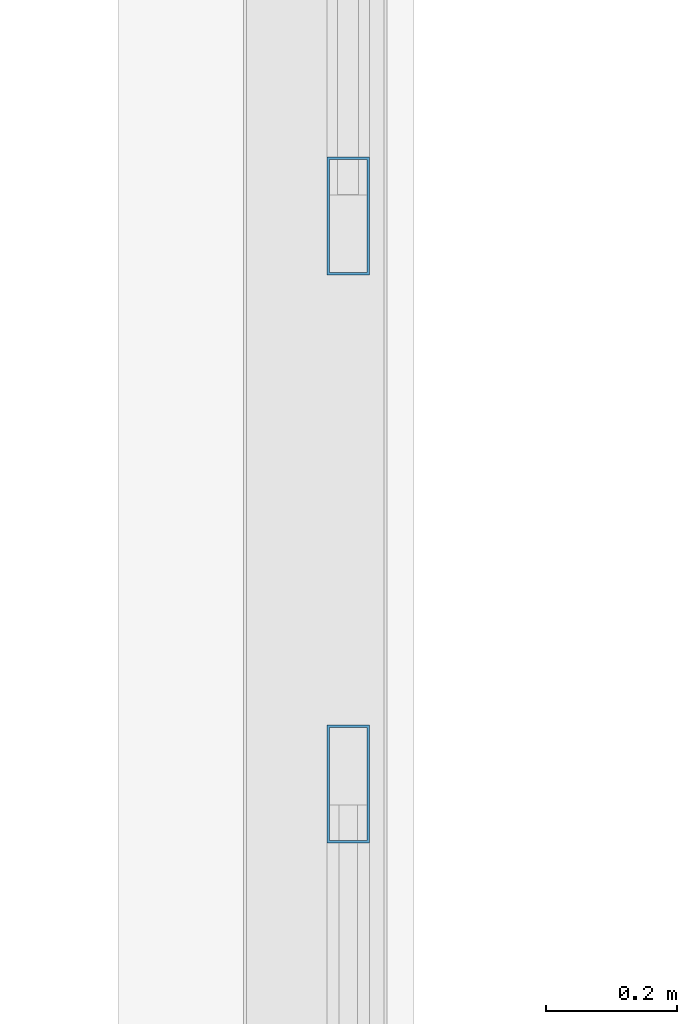
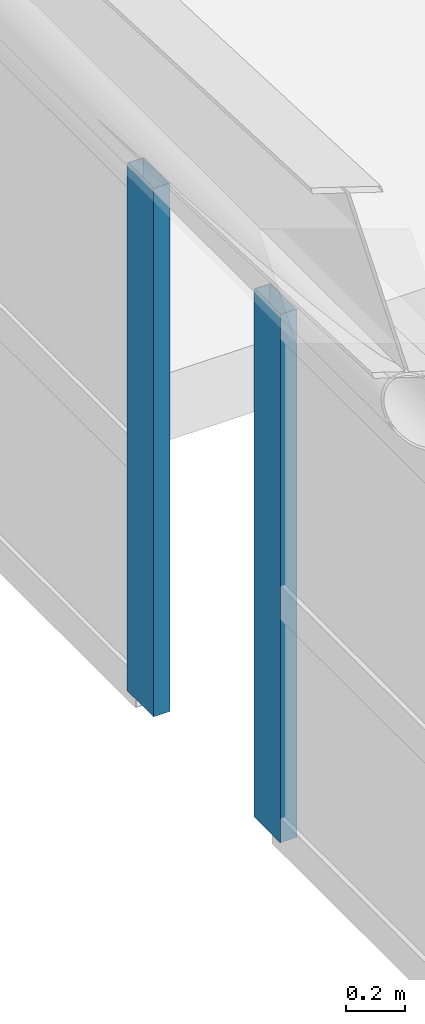
# One storey, part 17 of 128: 2 members, 2 elements without a shape of their own.
"""IFC4 building model written with IfcOpenShell, lengths in metres."""

import ifcopenshell
import ifcopenshell.guid

model = None  # the IFC model being written
_history = None  # IfcOwnerHistory: only IFC2X3 demands one
_inside = {}  # id of a spatial element -> (the spatial element, [elements in it])
_under = {}  # id of a project, library or spatial element -> (it, [spatial elements below it])
_declared = {}  # id of a project -> (the project, [libraries it declares])
_typed = {}  # id of a type object -> (the type object, [elements of that type])
_made_of = {}  # id of a material, layer set ... -> (it, [elements and type objects made of it])


def new_model(schema):
    """Start an empty IFC model of exactly this schema.

    Asked for "IFC4X3", IfcOpenShell would pick the latest addendum, in which some entities
    have other attributes; the version numbers below select the first issue.
    IFC2X3 requires an IfcOwnerHistory on every rooted entity: one is made here for all.
    """
    global model, _history
    if schema == "IFC4X3":
        model = ifcopenshell.file(schema_version=(4, 3, 0, 0))
    else:
        model = ifcopenshell.file(schema=schema)
    _inside.clear()
    _under.clear()
    _declared.clear()
    _typed.clear()
    _made_of.clear()
    _history = None
    if model.schema == "IFC2X3":
        org = make("IfcOrganization", Name="unknown")
        user = make(
            "IfcPersonAndOrganization",
            ThePerson=make("IfcPerson", FamilyName="unknown"),
            TheOrganization=org,
        )
        app = make(
            "IfcApplication",
            ApplicationDeveloper=org,
            Version="unknown",
            ApplicationFullName="unknown",
            ApplicationIdentifier="unknown",
        )
        _history = make(
            "IfcOwnerHistory",
            OwningUser=user,
            OwningApplication=app,
            ChangeAction="ADDED",
            CreationDate=0,
        )
    return model


def make(cls, **values):
    """One entity of the class cls with the attributes given. An attribute that is None is left unset."""
    return model.create_entity(
        cls, **{name: value for name, value in values.items() if value is not None}
    )


def rooted(cls, **values):
    """An entity with a GlobalId (a new one), such as an element, a storey or a relation."""
    return make(cls, GlobalId=ifcopenshell.guid.new(), OwnerHistory=_history, **values)


def si_unit(unit_type, name, prefix=None):
    """IfcSIUnit, for example si_unit("LENGTHUNIT", "METRE", prefix="MILLI")."""
    return make("IfcSIUnit", UnitType=unit_type, Prefix=prefix, Name=name)


def assignment(units):
    """IfcUnitAssignment: the units of a project."""
    return None if units is None else make("IfcUnitAssignment", Units=units)


def point(xyz):
    """IfcCartesianPoint."""
    return None if xyz is None else make("IfcCartesianPoint", Coordinates=xyz)


def direction(xyz):
    """IfcDirection."""
    return None if xyz is None else make("IfcDirection", DirectionRatios=xyz)


def frame(location, z_axis=None, x_axis=None):
    """IfcAxis2Placement3D, a coordinate frame: its origin and axes. An axis left out is left unset."""
    return make(
        "IfcAxis2Placement3D",
        Location=point(location),
        Axis=direction(z_axis),
        RefDirection=direction(x_axis),
    )


def frame_2d(location, x_axis=None):
    """IfcAxis2Placement2D, a coordinate frame in the plane: its origin and x axis."""
    return make(
        "IfcAxis2Placement2D", Location=point(location), RefDirection=direction(x_axis)
    )


def origin():
    """The frame at (0, 0, 0) with its axes left unset."""
    return frame((0.0, 0.0, 0.0))


def origin_2d():
    """The frame at (0, 0) in the plane with its x axis left unset."""
    return frame_2d((0.0, 0.0))


def place(relative_to, where):
    """IfcLocalPlacement: puts the frame where relative to a parent placement (None: the world)."""
    return make(
        "IfcLocalPlacement", PlacementRelTo=relative_to, RelativePlacement=where
    )


def context(
    kind, dimensions, precision=None, world=None, true_north=None, identifier=None
):
    """IfcGeometricRepresentationContext, for example the 3D "Model" context."""
    return make(
        "IfcGeometricRepresentationContext",
        ContextIdentifier=identifier,
        ContextType=kind,
        CoordinateSpaceDimension=dimensions,
        Precision=precision,
        WorldCoordinateSystem=world,
        TrueNorth=true_north,
    )


def subcontext(parent, identifier, kind, view, scale=None):
    """IfcGeometricRepresentationSubContext, for example "Body" below "Model"."""
    return make(
        "IfcGeometricRepresentationSubContext",
        ContextIdentifier=identifier,
        ContextType=kind,
        ParentContext=parent,
        TargetScale=scale,
        TargetView=view,
    )


def project(units=None, contexts=None):
    """IfcProject with its units and contexts."""
    return rooted(
        "IfcProject",
        Name="project",
        RepresentationContexts=contexts,
        UnitsInContext=assignment(units),
    )


def spatial(cls, under=None, at=None, **own):
    """A site, building, storey or space (cls), placed at a placement, below another one or the project."""
    s = rooted(cls, ObjectPlacement=at, **own)
    if under is not None:
        _under.setdefault(under.id(), (under, []))[1].append(s)
    return s


def profile(cls, at=None, kind="AREA", **sizes):
    """A parametric profile (cls). Its sizes go by their IFC names, for example OverallWidth=200.0."""
    return make(cls, ProfileType=kind, Position=at, **sizes)


def hollow_rectangle(**sizes):
    """IfcRectangleHollowProfileDef."""
    return profile("IfcRectangleHollowProfileDef", **sizes)


def extrude(swept, where, along, depth):
    """IfcExtrudedAreaSolid: the profile swept, set in the frame where, extruded along a direction by depth."""
    return make(
        "IfcExtrudedAreaSolid",
        SweptArea=swept,
        Position=where,
        ExtrudedDirection=direction(along),
        Depth=depth,
    )


def shape(context_of_items, identifier, shape_type, items):
    """IfcShapeRepresentation: the items that make up one representation, for example the "Body"."""
    return make(
        "IfcShapeRepresentation",
        ContextOfItems=context_of_items,
        RepresentationIdentifier=identifier,
        RepresentationType=shape_type,
        Items=items,
    )


def material(Name=None, Category=None):
    """IfcMaterial."""
    return make("IfcMaterial", Name=Name, Category=Category)


def layer(
    of_material, thickness, ventilated=None, Name=None, Category=None, Priority=None
):
    """IfcMaterialLayer: one layer of a wall or slab, of a material (None: an air gap)."""
    return make(
        "IfcMaterialLayer",
        Material=of_material,
        LayerThickness=thickness,
        IsVentilated=ventilated,
        Name=Name,
        Category=Category,
        Priority=Priority,
    )


def layer_set(layers, Name=None):
    """IfcMaterialLayerSet."""
    return make("IfcMaterialLayerSet", MaterialLayers=layers, LayerSetName=Name)


def material_profile(
    of_material, cross_section, Name=None, Category=None, Priority=None
):
    """IfcMaterialProfile: a cross section and its material."""
    return make(
        "IfcMaterialProfile",
        Name=Name,
        Material=of_material,
        Profile=cross_section,
        Priority=Priority,
        Category=Category,
    )


def profile_set(profiles, Name=None, composite=None):
    """IfcMaterialProfileSet."""
    return make(
        "IfcMaterialProfileSet",
        Name=Name,
        MaterialProfiles=profiles,
        CompositeProfile=composite,
    )


def made_of(thing, what):
    """Note that an element or type object is made of a material, layer set ...; save() writes the relation."""
    if what is not None:
        _made_of.setdefault(what.id(), (what, []))[1].append(thing)
    return thing


def type_object(cls, material=None, **own):
    """A type object (cls), such as IfcWallType, which elements share."""
    return made_of(rooted(cls, **own), material)


def element(
    cls,
    number,
    at=None,
    inside=None,
    cuts=None,
    type_object=None,
    material=None,
    context=None,
    identifier="Body",
    shape_type=None,
    held_by="IfcProductDefinitionShape",
    body=None,
    shapes=None,
    **own,
):
    """One element of the class cls, such as IfcWall. Its Tag is "e" and its number.

    at: its placement. inside: the storey or other place that contains it. cuts: it is an
    opening in that element (IfcRelVoidsElement). A single representation is given by context,
    identifier, shape_type and body (its items); several are given by shapes. held_by: the class
    of the entity that holds the representations. save() writes the other relations.
    """
    e = rooted(cls, Tag="e%d" % number, ObjectPlacement=at, **own)
    if body is not None:
        shapes = [shape(context, identifier, shape_type, body)]
    if shapes is not None:
        e.Representation = make(held_by, Representations=shapes)
    if inside is not None:
        _inside.setdefault(inside.id(), (inside, []))[1].append(e)
    if cuts is not None:
        rooted(
            "IfcRelVoidsElement", RelatingBuildingElement=cuts, RelatedOpeningElement=e
        )
    if type_object is not None:
        _typed.setdefault(type_object.id(), (type_object, []))[1].append(e)
    return made_of(e, material)


def aggregate(whole, parts):
    """IfcRelAggregates: a whole, such as a stair, and the parts it consists of."""
    return rooted("IfcRelAggregates", RelatingObject=whole, RelatedObjects=parts)


def save(model, path):
    """Write the relations noted so far, then the file.

    IfcRelAggregates (storeys below a building ...), IfcRelContainedInSpatialStructure (elements
    in a storey), IfcRelDefinesByType, IfcRelAssociatesMaterial and IfcRelDeclares: one each for
    every whole, place, type object, material and project.
    """
    for whole, parts in _under.values():
        aggregate(whole, parts)
    for where, things in _inside.values():
        rooted(
            "IfcRelContainedInSpatialStructure",
            RelatedElements=things,
            RelatingStructure=where,
        )
    for kind, things in _typed.values():
        rooted("IfcRelDefinesByType", RelatedObjects=things, RelatingType=kind)
    for what, things in _made_of.values():
        rooted("IfcRelAssociatesMaterial", RelatedObjects=things, RelatingMaterial=what)
    for by, libraries in _declared.values():
        rooted("IfcRelDeclares", RelatingContext=by, RelatedDefinitions=libraries)
    model.write(path)


model = new_model("IFC4")

# Units and contexts
model_context = context("Model", 3, precision=1e-05, world=origin(), true_north=direction((0.0, 1.0)))
body_context = subcontext(model_context, "Body", "Model", "MODEL_VIEW")
ifc_project = project(units=[si_unit("LENGTHUNIT", "METRE"), si_unit("AREAUNIT", "SQUARE_METRE"), si_unit("VOLUMEUNIT", "CUBIC_METRE"), si_unit("PLANEANGLEUNIT", "RADIAN"), si_unit("MASSUNIT", "GRAM", prefix="KILO")], contexts=[model_context])

# Site, building, storey
site_placement = place(None, origin())
site = spatial("IfcSite", under=ifc_project, at=site_placement, CompositionType="ELEMENT")
building_placement = place(site_placement, origin())
building = spatial("IfcBuilding", under=site, at=building_placement, Name="Keldmere Railside Commons", CompositionType="ELEMENT")
storey_placement = place(building_placement, frame((0.0, 0.0, 4.159912109375)))
storey = spatial("IfcBuildingStorey", under=building, at=storey_placement, Name="L01", CompositionType="ELEMENT", Elevation=4.159912109375)

# Curtain wall, member
ifc_material = material(Name="Thermally Broken Aluminium", Category="aluminium")
ifc_layer = layer(ifc_material, 0.159912109375, Name="Community Hall Side Clerestory CW 5200x2200")
ifc_layer_set = layer_set([ifc_layer], Name="Thermally Broken Aluminium")
curtain_wall_type = type_object("IfcCurtainWallType", Name="Community Hall Side Clerestory CW 5200x2200", PredefinedType="NOTDEFINED", material=ifc_layer_set)
curtain_wall_1_placement = place(storey_placement, origin())
curtain_wall_1 = element("IfcCurtainWall", 1, at=curtain_wall_1_placement, inside=storey, type_object=curtain_wall_type, Name="CW-06 CW-L01-207", PredefinedType="NOTDEFINED")
ifc_material_profile = material_profile(ifc_material, hollow_rectangle(XDim=0.06494140625, YDim=0.179931640625, WallThickness=0.00390625, at=origin_2d()), Name="ALU-MULL-65x180")
ifc_profile_set = profile_set([ifc_material_profile], Name="Thermally Broken Aluminium")
member_type = type_object("IfcMemberType", Name="Civic Tall Curtain Wall Mullion 65x180", PredefinedType="MULLION", material=ifc_profile_set)
member_1_placement = place(storey_placement, frame((64.050048828125, 38.367431640625, 0.090087890625), z_axis=(0.0, 0.0, 1.0), x_axis=(-1.0, 0.0, 0.0)))
member_1 = element("IfcMember", 2, at=member_1_placement, type_object=member_type, Name="CW-06 mullion 4", PredefinedType="MULLION", context=body_context, shape_type="SweptSolid", body=[
    extrude(hollow_rectangle(XDim=0.06494140625, YDim=0.179931640625, WallThickness=0.00390625, at=origin_2d()), origin(), (0.0, 0.0, 1.0), 2.199951171875),
])
aggregate(curtain_wall_1, [member_1])

curtain_wall_2_placement = place(storey_placement, origin())
curtain_wall_2 = element("IfcCurtainWall", 3, at=curtain_wall_2_placement, inside=storey, type_object=curtain_wall_type, Name="CW-06 CW-L01-209", PredefinedType="NOTDEFINED")
member_2_placement = place(storey_placement, frame((64.050048828125, 39.232421875, 0.090087890625), z_axis=(0.0, 0.0, 1.0), x_axis=(-1.0, 0.0, 0.0)))
member_2 = element("IfcMember", 4, at=member_2_placement, type_object=member_type, Name="CW-06 mullion 1", PredefinedType="MULLION", context=body_context, shape_type="SweptSolid", body=[
    extrude(hollow_rectangle(XDim=0.06494140625, YDim=0.179931640625, WallThickness=0.00390625, at=origin_2d()), origin(), (0.0, 0.0, 1.0), 2.199951171875),
])
aggregate(curtain_wall_2, [member_2])

save(model, "model.ifc")
